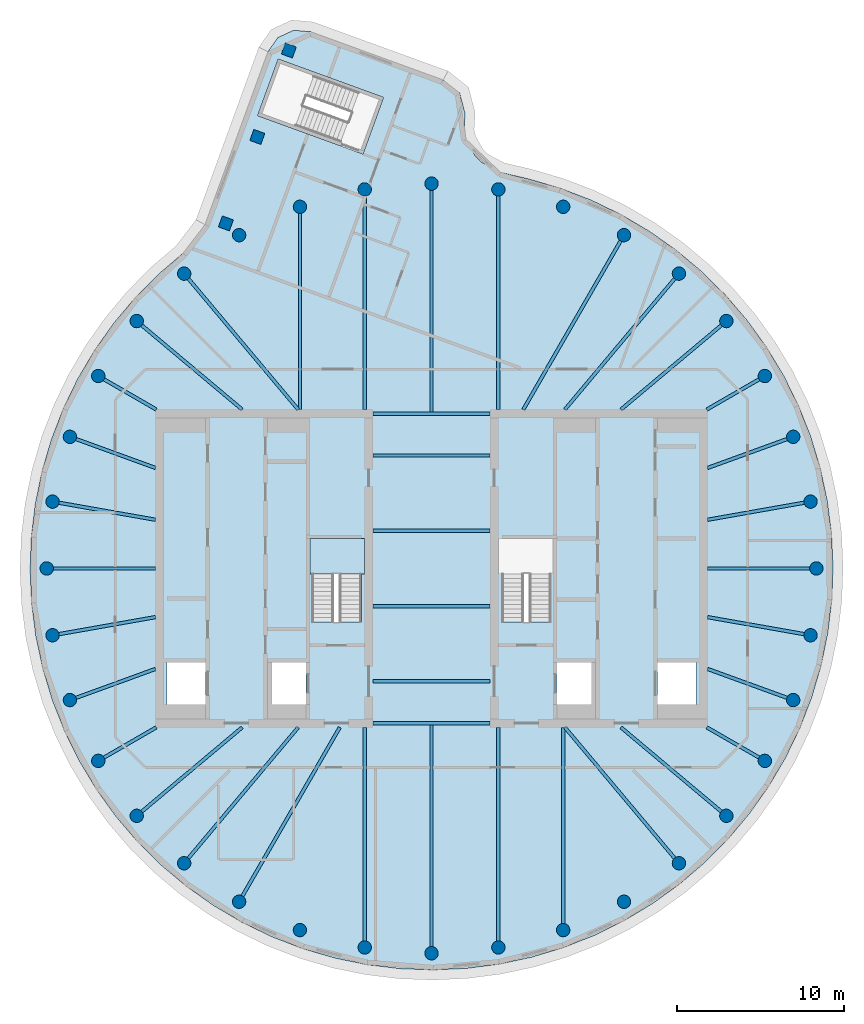
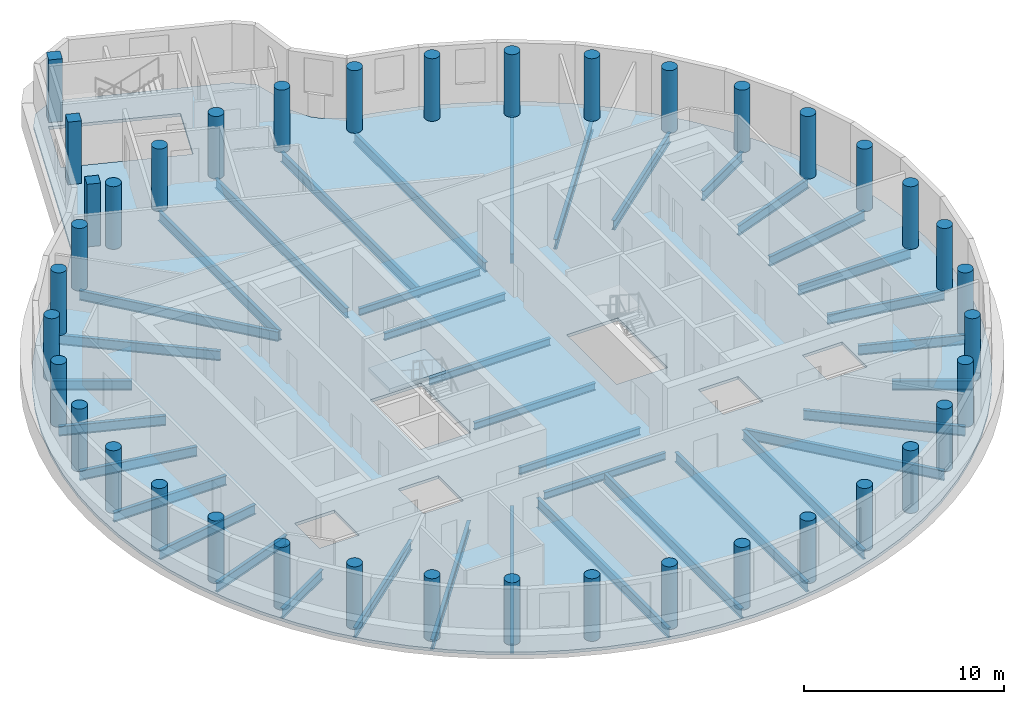
# One storey, part 1 of 7: 39 columns, 38 beams, 2 slabs, 1 element without a shape of its own.
"""IFC4 building model written with IfcOpenShell, lengths in metres."""

import ifcopenshell
import ifcopenshell.guid

model = None  # the IFC model being written
_history = None  # IfcOwnerHistory: only IFC2X3 demands one
_inside = {}  # id of a spatial element -> (the spatial element, [elements in it])
_under = {}  # id of a project, library or spatial element -> (it, [spatial elements below it])
_declared = {}  # id of a project -> (the project, [libraries it declares])
_typed = {}  # id of a type object -> (the type object, [elements of that type])
_made_of = {}  # id of a material, layer set ... -> (it, [elements and type objects made of it])


def new_model(schema):
    """Start an empty IFC model of exactly this schema.

    Asked for "IFC4X3", IfcOpenShell would pick the latest addendum, in which some entities
    have other attributes; the version numbers below select the first issue.
    IFC2X3 requires an IfcOwnerHistory on every rooted entity: one is made here for all.
    """
    global model, _history
    if schema == "IFC4X3":
        model = ifcopenshell.file(schema_version=(4, 3, 0, 0))
    else:
        model = ifcopenshell.file(schema=schema)
    _inside.clear()
    _under.clear()
    _declared.clear()
    _typed.clear()
    _made_of.clear()
    _history = None
    if model.schema == "IFC2X3":
        org = make("IfcOrganization", Name="unknown")
        user = make(
            "IfcPersonAndOrganization",
            ThePerson=make("IfcPerson", FamilyName="unknown"),
            TheOrganization=org,
        )
        app = make(
            "IfcApplication",
            ApplicationDeveloper=org,
            Version="unknown",
            ApplicationFullName="unknown",
            ApplicationIdentifier="unknown",
        )
        _history = make(
            "IfcOwnerHistory",
            OwningUser=user,
            OwningApplication=app,
            ChangeAction="ADDED",
            CreationDate=0,
        )
    return model


def make(cls, **values):
    """One entity of the class cls with the attributes given. An attribute that is None is left unset."""
    return model.create_entity(
        cls, **{name: value for name, value in values.items() if value is not None}
    )


def rooted(cls, **values):
    """An entity with a GlobalId (a new one), such as an element, a storey or a relation."""
    return make(cls, GlobalId=ifcopenshell.guid.new(), OwnerHistory=_history, **values)


def si_unit(unit_type, name, prefix=None):
    """IfcSIUnit, for example si_unit("LENGTHUNIT", "METRE", prefix="MILLI")."""
    return make("IfcSIUnit", UnitType=unit_type, Prefix=prefix, Name=name)


def assignment(units):
    """IfcUnitAssignment: the units of a project."""
    return None if units is None else make("IfcUnitAssignment", Units=units)


def point(xyz):
    """IfcCartesianPoint."""
    return None if xyz is None else make("IfcCartesianPoint", Coordinates=xyz)


def direction(xyz):
    """IfcDirection."""
    return None if xyz is None else make("IfcDirection", DirectionRatios=xyz)


def frame(location, z_axis=None, x_axis=None):
    """IfcAxis2Placement3D, a coordinate frame: its origin and axes. An axis left out is left unset."""
    return make(
        "IfcAxis2Placement3D",
        Location=point(location),
        Axis=direction(z_axis),
        RefDirection=direction(x_axis),
    )


def frame_2d(location, x_axis=None):
    """IfcAxis2Placement2D, a coordinate frame in the plane: its origin and x axis."""
    return make(
        "IfcAxis2Placement2D", Location=point(location), RefDirection=direction(x_axis)
    )


def origin():
    """The frame at (0, 0, 0) with its axes left unset."""
    return frame((0.0, 0.0, 0.0))


def origin_2d():
    """The frame at (0, 0) in the plane with its x axis left unset."""
    return frame_2d((0.0, 0.0))


def place(relative_to, where):
    """IfcLocalPlacement: puts the frame where relative to a parent placement (None: the world)."""
    return make(
        "IfcLocalPlacement", PlacementRelTo=relative_to, RelativePlacement=where
    )


def context(
    kind, dimensions, precision=None, world=None, true_north=None, identifier=None
):
    """IfcGeometricRepresentationContext, for example the 3D "Model" context."""
    return make(
        "IfcGeometricRepresentationContext",
        ContextIdentifier=identifier,
        ContextType=kind,
        CoordinateSpaceDimension=dimensions,
        Precision=precision,
        WorldCoordinateSystem=world,
        TrueNorth=true_north,
    )


def subcontext(parent, identifier, kind, view, scale=None):
    """IfcGeometricRepresentationSubContext, for example "Body" below "Model"."""
    return make(
        "IfcGeometricRepresentationSubContext",
        ContextIdentifier=identifier,
        ContextType=kind,
        ParentContext=parent,
        TargetScale=scale,
        TargetView=view,
    )


def project(units=None, contexts=None):
    """IfcProject with its units and contexts."""
    return rooted(
        "IfcProject",
        Name="project",
        RepresentationContexts=contexts,
        UnitsInContext=assignment(units),
    )


def spatial(cls, under=None, at=None, **own):
    """A site, building, storey or space (cls), placed at a placement, below another one or the project."""
    s = rooted(cls, ObjectPlacement=at, **own)
    if under is not None:
        _under.setdefault(under.id(), (under, []))[1].append(s)
    return s


def polyline(points):
    """IfcPolyline through the points."""
    return make("IfcPolyline", Points=[point(p) for p in points])


def profile(cls, at=None, kind="AREA", **sizes):
    """A parametric profile (cls). Its sizes go by their IFC names, for example OverallWidth=200.0."""
    return make(cls, ProfileType=kind, Position=at, **sizes)


def rectangle(**sizes):
    """IfcRectangleProfileDef."""
    return profile("IfcRectangleProfileDef", **sizes)


def circle(**sizes):
    """IfcCircleProfileDef."""
    return profile("IfcCircleProfileDef", **sizes)


def i_section(**sizes):
    """IfcIShapeProfileDef."""
    return profile("IfcIShapeProfileDef", **sizes)


def outline(outer, holes=None, kind="AREA"):
    """IfcArbitraryClosedProfileDef: a profile drawn as a closed curve; with holes, ...WithVoids."""
    if holes is None:
        return make("IfcArbitraryClosedProfileDef", ProfileType=kind, OuterCurve=outer)
    return make(
        "IfcArbitraryProfileDefWithVoids",
        ProfileType=kind,
        OuterCurve=outer,
        InnerCurves=holes,
    )


def extrude(swept, where, along, depth):
    """IfcExtrudedAreaSolid: the profile swept, set in the frame where, extruded along a direction by depth."""
    return make(
        "IfcExtrudedAreaSolid",
        SweptArea=swept,
        Position=where,
        ExtrudedDirection=direction(along),
        Depth=depth,
    )


def shape(context_of_items, identifier, shape_type, items):
    """IfcShapeRepresentation: the items that make up one representation, for example the "Body"."""
    return make(
        "IfcShapeRepresentation",
        ContextOfItems=context_of_items,
        RepresentationIdentifier=identifier,
        RepresentationType=shape_type,
        Items=items,
    )


def material(Name=None, Category=None):
    """IfcMaterial."""
    return make("IfcMaterial", Name=Name, Category=Category)


def layer(
    of_material, thickness, ventilated=None, Name=None, Category=None, Priority=None
):
    """IfcMaterialLayer: one layer of a wall or slab, of a material (None: an air gap)."""
    return make(
        "IfcMaterialLayer",
        Material=of_material,
        LayerThickness=thickness,
        IsVentilated=ventilated,
        Name=Name,
        Category=Category,
        Priority=Priority,
    )


def layer_set(layers, Name=None):
    """IfcMaterialLayerSet."""
    return make("IfcMaterialLayerSet", MaterialLayers=layers, LayerSetName=Name)


def material_profile(
    of_material, cross_section, Name=None, Category=None, Priority=None
):
    """IfcMaterialProfile: a cross section and its material."""
    return make(
        "IfcMaterialProfile",
        Name=Name,
        Material=of_material,
        Profile=cross_section,
        Priority=Priority,
        Category=Category,
    )


def profile_set(profiles, Name=None, composite=None):
    """IfcMaterialProfileSet."""
    return make(
        "IfcMaterialProfileSet",
        Name=Name,
        MaterialProfiles=profiles,
        CompositeProfile=composite,
    )


def made_of(thing, what):
    """Note that an element or type object is made of a material, layer set ...; save() writes the relation."""
    if what is not None:
        _made_of.setdefault(what.id(), (what, []))[1].append(thing)
    return thing


def type_object(cls, material=None, **own):
    """A type object (cls), such as IfcWallType, which elements share."""
    return made_of(rooted(cls, **own), material)


def element(
    cls,
    number,
    at=None,
    inside=None,
    cuts=None,
    type_object=None,
    material=None,
    context=None,
    identifier="Body",
    shape_type=None,
    held_by="IfcProductDefinitionShape",
    body=None,
    shapes=None,
    **own,
):
    """One element of the class cls, such as IfcWall. Its Tag is "e" and its number.

    at: its placement. inside: the storey or other place that contains it. cuts: it is an
    opening in that element (IfcRelVoidsElement). A single representation is given by context,
    identifier, shape_type and body (its items); several are given by shapes. held_by: the class
    of the entity that holds the representations. save() writes the other relations.
    """
    e = rooted(cls, Tag="e%d" % number, ObjectPlacement=at, **own)
    if body is not None:
        shapes = [shape(context, identifier, shape_type, body)]
    if shapes is not None:
        e.Representation = make(held_by, Representations=shapes)
    if inside is not None:
        _inside.setdefault(inside.id(), (inside, []))[1].append(e)
    if cuts is not None:
        rooted(
            "IfcRelVoidsElement", RelatingBuildingElement=cuts, RelatedOpeningElement=e
        )
    if type_object is not None:
        _typed.setdefault(type_object.id(), (type_object, []))[1].append(e)
    return made_of(e, material)


def aggregate(whole, parts):
    """IfcRelAggregates: a whole, such as a stair, and the parts it consists of."""
    return rooted("IfcRelAggregates", RelatingObject=whole, RelatedObjects=parts)


def save(model, path):
    """Write the relations noted so far, then the file.

    IfcRelAggregates (storeys below a building ...), IfcRelContainedInSpatialStructure (elements
    in a storey), IfcRelDefinesByType, IfcRelAssociatesMaterial and IfcRelDeclares: one each for
    every whole, place, type object, material and project.
    """
    for whole, parts in _under.values():
        aggregate(whole, parts)
    for where, things in _inside.values():
        rooted(
            "IfcRelContainedInSpatialStructure",
            RelatedElements=things,
            RelatingStructure=where,
        )
    for kind, things in _typed.values():
        rooted("IfcRelDefinesByType", RelatedObjects=things, RelatingType=kind)
    for what, things in _made_of.values():
        rooted("IfcRelAssociatesMaterial", RelatedObjects=things, RelatingMaterial=what)
    for by, libraries in _declared.values():
        rooted("IfcRelDeclares", RelatingContext=by, RelatedDefinitions=libraries)
    model.write(path)


model = new_model("IFC4")

# Units and contexts
model_context = context("Model", 3, precision=1e-05, world=origin(), true_north=direction((0.0, 1.0)))
body_context = subcontext(model_context, "Body", "Model", "MODEL_VIEW")
ifc_project = project(units=[si_unit("LENGTHUNIT", "METRE"), si_unit("AREAUNIT", "SQUARE_METRE"), si_unit("VOLUMEUNIT", "CUBIC_METRE"), si_unit("PLANEANGLEUNIT", "RADIAN"), si_unit("MASSUNIT", "GRAM", prefix="KILO")], contexts=[model_context])

# Site, building, storey
site_placement = place(None, origin())
site = spatial("IfcSite", under=ifc_project, at=site_placement, CompositionType="ELEMENT")
building_placement = place(site_placement, origin())
building = spatial("IfcBuilding", under=site, at=building_placement, Name="Tamarind Cross Interchange Tower", CompositionType="ELEMENT")
storey_placement = place(building_placement, frame((0.0, 0.0, 321.39990234375)))
storey = spatial("IfcBuildingStorey", under=building, at=storey_placement, Name="L79", CompositionType="ELEMENT", Elevation=321.39990234375)

# Columns
ifc_material_1 = material(Name="Concrete C45", Category="concrete")
ifc_material_profile_1 = material_profile(ifc_material_1, rectangle(XDim=0.699951171875, YDim=0.699951171875, at=origin_2d()), Name="RC 700x700")
ifc_profile_set_1 = profile_set([ifc_material_profile_1], Name="Concrete C45")
column_type_1 = type_object("IfcColumnType", Name="Column RC 700x700 Concrete C45", PredefinedType="COLUMN", material=ifc_profile_set_1)
for number, where, z_axis, x_axis, name in (
    (1, (-8.530029296875, 30.957275390625, -0.179931640625), (0.0, 0.0, 1.0), (0.341993902024, 0.939702171424, 0.0), "Column L79-047"),
    (2, (-10.4111328125, 25.7890625, -0.179931640625), (0.0, 0.0, 1.0), (0.341993902024, 0.939702171424, 0.0), "Column L79-048"),
    (3, (-12.2919921875, 20.62060546875, -0.179931640625), (0.0, 0.0, 1.0), (0.341993902024, 0.939702171424, 0.0), "Column L79-049"),
):
    element("IfcColumn", number, at=place(storey_placement, frame(where, z_axis=z_axis, x_axis=x_axis)), inside=storey, type_object=column_type_1, Name=name, PredefinedType="COLUMN", context=body_context, shape_type="SweptSolid", body=[
        extrude(rectangle(XDim=0.699951171875, YDim=0.699951171875, at=origin_2d()), origin(), (0.0, 0.0, 1.0), 4.0),
    ])
ifc_material_profile_2 = material_profile(ifc_material_1, circle(Radius=0.39990234375, at=origin_2d()), Name="RC D800")
ifc_profile_set_2 = profile_set([ifc_material_profile_2], Name="Concrete C45")
column_type_2 = type_object("IfcColumnType", Name="Column RC D800 Concrete C45", PredefinedType="COLUMN", material=ifc_profile_set_2)
for number, where, z_axis, x_axis, name in (
    (4, (23.0, 0.0, -0.179931640625), (0.0, 0.0, 1.0), (1.0, 0.0, 0.0), "Column L79-000"),
    (5, (22.650634765625, 3.993896484375, -0.179931640625), (0.0, 0.0, 1.0), (1.0, 0.0, 0.0), "Column L79-001"),
    (6, (21.613037109375, 7.866455078125, -0.179931640625), (0.0, 0.0, 1.0), (1.0, 0.0, 0.0), "Column L79-002"),
    (7, (19.918701171875, 11.5, -0.179931640625), (0.0, 0.0, 1.0), (1.0, 0.0, 0.0), "Column L79-003"),
    (8, (17.619140625, 14.7841796875, -0.179931640625), (0.0, 0.0, 1.0), (1.0, 0.0, 0.0), "Column L79-004"),
    (9, (14.7841796875, 17.619140625, -0.179931640625), (0.0, 0.0, 1.0), (1.0, 0.0, 0.0), "Column L79-005"),
    (10, (11.5, 19.918701171875, -0.179931640625), (0.0, 0.0, 1.0), (1.0, 0.0, 0.0), "Column L79-006"),
    (11, (7.866455078125, 21.613037109375, -0.179931640625), (0.0, 0.0, 1.0), (1.0, 0.0, 0.0), "Column L79-007"),
    (12, (3.993896484375, 22.650634765625, -0.179931640625), (0.0, 0.0, 1.0), (1.0, 0.0, 0.0), "Column L79-008"),
    (13, (0.0, 23.0, -0.179931640625), (0.0, 0.0, 1.0), (1.0, 0.0, 0.0), "Column L79-009"),
    (14, (-3.993896484375, 22.650634765625, -0.179931640625), (0.0, 0.0, 1.0), (1.0, 0.0, 0.0), "Column L79-010"),
    (15, (-7.866455078125, 21.613037109375, -0.179931640625), (0.0, 0.0, 1.0), (1.0, 0.0, 0.0), "Column L79-011"),
    (16, (-11.5, 19.918701171875, -0.179931640625), (0.0, 0.0, 1.0), (1.0, 0.0, 0.0), "Column L79-012"),
    (17, (-14.7841796875, 17.619140625, -0.179931640625), (0.0, 0.0, 1.0), (1.0, 0.0, 0.0), "Column L79-013"),
    (18, (-17.619140625, 14.7841796875, -0.179931640625), (0.0, 0.0, 1.0), (1.0, 0.0, 0.0), "Column L79-014"),
    (19, (-19.918701171875, 11.5, -0.179931640625), (0.0, 0.0, 1.0), (1.0, 0.0, 0.0), "Column L79-015"),
    (20, (-21.613037109375, 7.866455078125, -0.179931640625), (0.0, 0.0, 1.0), (1.0, 0.0, 0.0), "Column L79-016"),
    (21, (-22.650634765625, 3.993896484375, -0.179931640625), (0.0, 0.0, 1.0), (1.0, 0.0, 0.0), "Column L79-017"),
    (22, (-23.0, 0.0, -0.179931640625), (0.0, 0.0, 1.0), (1.0, 0.0, 0.0), "Column L79-018"),
    (23, (-22.650634765625, -3.993896484375, -0.179931640625), (0.0, 0.0, 1.0), (1.0, 0.0, 0.0), "Column L79-019"),
    (24, (-21.613037109375, -7.866455078125, -0.179931640625), (0.0, 0.0, 1.0), (1.0, 0.0, 0.0), "Column L79-020"),
    (25, (-19.918701171875, -11.5, -0.179931640625), (0.0, 0.0, 1.0), (1.0, 0.0, 0.0), "Column L79-021"),
    (26, (-17.619140625, -14.7841796875, -0.179931640625), (0.0, 0.0, 1.0), (1.0, 0.0, 0.0), "Column L79-022"),
    (27, (-14.7841796875, -17.619140625, -0.179931640625), (0.0, 0.0, 1.0), (1.0, 0.0, 0.0), "Column L79-023"),
    (28, (-11.5, -19.918701171875, -0.179931640625), (0.0, 0.0, 1.0), (1.0, 0.0, 0.0), "Column L79-024"),
    (29, (-7.866455078125, -21.613037109375, -0.179931640625), (0.0, 0.0, 1.0), (1.0, 0.0, 0.0), "Column L79-025"),
    (30, (-3.993896484375, -22.650634765625, -0.179931640625), (0.0, 0.0, 1.0), (1.0, 0.0, 0.0), "Column L79-026"),
    (31, (0.0, -23.0, -0.179931640625), (0.0, 0.0, 1.0), (1.0, 0.0, 0.0), "Column L79-027"),
    (32, (3.993896484375, -22.650634765625, -0.179931640625), (0.0, 0.0, 1.0), (1.0, 0.0, 0.0), "Column L79-028"),
    (33, (7.866455078125, -21.613037109375, -0.179931640625), (0.0, 0.0, 1.0), (1.0, 0.0, 0.0), "Column L79-029"),
    (34, (11.5, -19.918701171875, -0.179931640625), (0.0, 0.0, 1.0), (1.0, 0.0, 0.0), "Column L79-030"),
    (35, (14.7841796875, -17.619140625, -0.179931640625), (0.0, 0.0, 1.0), (1.0, 0.0, 0.0), "Column L79-031"),
    (36, (17.619140625, -14.7841796875, -0.179931640625), (0.0, 0.0, 1.0), (1.0, 0.0, 0.0), "Column L79-032"),
    (37, (19.918701171875, -11.5, -0.179931640625), (0.0, 0.0, 1.0), (1.0, 0.0, 0.0), "Column L79-033"),
    (38, (21.613037109375, -7.866455078125, -0.179931640625), (0.0, 0.0, 1.0), (1.0, 0.0, 0.0), "Column L79-034"),
    (39, (22.650634765625, -3.993896484375, -0.179931640625), (0.0, 0.0, 1.0), (1.0, 0.0, 0.0), "Column L79-035"),
):
    element("IfcColumn", number, at=place(storey_placement, frame(where, z_axis=z_axis, x_axis=x_axis)), inside=storey, type_object=column_type_2, Name=name, PredefinedType="COLUMN", context=body_context, shape_type="SweptSolid", body=[
        extrude(circle(Radius=0.39990234375, at=origin_2d()), origin(), (0.0, 0.0, 1.0), 4.0),
    ])

# Beams
ifc_material_2 = material(Name="Steel Q355B", Category="steel")
ifc_material_profile_3 = material_profile(ifc_material_2, i_section(OverallWidth=0.198974609375, OverallDepth=0.446044921875, WebThickness=0.008056640625, FlangeThickness=0.011962890625, FilletRadius=0.012939453125, at=origin_2d()), Name="HN 446x199x8x12")
ifc_profile_set_3 = profile_set([ifc_material_profile_3], Name="Steel Q355B")
beam_type_1 = type_object("IfcBeamType", Name="Composite beam HN 446x199x8x12 Q355B", PredefinedType="BEAM", material=ifc_profile_set_3)
for number, where, z_axis, x_axis, name in (
    (40, (-3.5, -2.25, -0.40283203125), (1.0, 0.0, 0.0), (0.0, 1.0, 0.0), "Beam G-2.25"),
    (41, (-3.5, -6.75, -0.40283203125), (1.0, 0.0, 0.0), (0.0, 1.0, 0.0), "Beam G-6.75"),
    (42, (-3.5, -9.25, -0.40283203125), (1.0, 0.0, 0.0), (0.0, 1.0, 0.0), "Beam G-9.25"),
    (43, (-3.5, 2.25, -0.40283203125), (1.0, 0.0, 0.0), (0.0, 1.0, 0.0), "Beam G2.25"),
    (44, (-3.5, 6.75, -0.40283203125), (1.0, 0.0, 0.0), (0.0, 1.0, 0.0), "Beam G6.75"),
    (45, (-3.5, 9.25, -0.40283203125), (1.0, 0.0, 0.0), (0.0, 1.0, 0.0), "Beam G9.25"),
):
    element("IfcBeam", number, at=place(storey_placement, frame(where, z_axis=z_axis, x_axis=x_axis)), inside=storey, type_object=beam_type_1, Name=name, PredefinedType="BEAM", context=body_context, shape_type="SweptSolid", body=[
        extrude(i_section(OverallWidth=0.198974609375, OverallDepth=0.446044921875, WebThickness=0.008056640625, FlangeThickness=0.011962890625, FilletRadius=0.012939453125, at=origin_2d()), origin(), (0.0, 0.0, 1.0), 7.0),
    ])
ifc_material_profile_4 = material_profile(ifc_material_2, i_section(OverallWidth=0.198974609375, OverallDepth=0.595947265625, WebThickness=0.010009765625, FlangeThickness=0.014892578125, FilletRadius=0.012939453125, at=origin_2d()), Name="HN 596x199x10x15")
ifc_profile_set_4 = profile_set([ifc_material_profile_4], Name="Steel Q355B")
beam_type_2 = type_object("IfcBeamType", Name="Composite beam HN 596x199x10x15 Q355B", PredefinedType="BEAM", material=ifc_profile_set_4)
beam_1_placement = place(storey_placement, frame((23.0, 0.0, -0.477783203125), z_axis=(-1.0, 0.0, 0.0), x_axis=(0.0, -1.0, 0.0)))
element("IfcBeam", 46, at=beam_1_placement, inside=storey, type_object=beam_type_2, Name="Beam HH00", PredefinedType="BEAM", context=body_context, shape_type="SweptSolid", body=[
    extrude(i_section(OverallWidth=0.198974609375, OverallDepth=0.595947265625, WebThickness=0.010009765625, FlangeThickness=0.014892578125, FilletRadius=0.012939453125, at=origin_2d()), origin(), (0.0, 0.0, 1.0), 6.5),
])
beam_2_placement = place(storey_placement, frame((22.650634765625, 3.993896484375, -0.477783203125), z_axis=(-0.984809127561, -0.173640382036, 0.0), x_axis=(0.173640382036, -0.984809127561, 0.0)))
element("IfcBeam", 47, at=beam_2_placement, inside=storey, type_object=beam_type_2, Name="Beam HH01", PredefinedType="BEAM", context=body_context, shape_type="SweptSolid", body=[
    extrude(i_section(OverallWidth=0.198974609375, OverallDepth=0.595947265625, WebThickness=0.010009765625, FlangeThickness=0.014892578125, FilletRadius=0.012939453125, at=origin_2d()), origin(), (0.0, 0.0, 1.0), 6.24560546875),
])
beam_3_placement = place(storey_placement, frame((21.613037109375, 7.866455078125, -0.477783203125), z_axis=(-0.939701685589, -0.341995236956, 0.0), x_axis=(0.341995236956, -0.939701685589, 0.0)))
element("IfcBeam", 48, at=beam_3_placement, inside=storey, type_object=beam_type_2, Name="Beam HH02", PredefinedType="BEAM", context=body_context, shape_type="SweptSolid", body=[
    extrude(i_section(OverallWidth=0.198974609375, OverallDepth=0.595947265625, WebThickness=0.010009765625, FlangeThickness=0.014892578125, FilletRadius=0.012939453125, at=origin_2d()), origin(), (0.0, 0.0, 1.0), 5.441162109375),
])
beam_4_placement = place(storey_placement, frame((19.918701171875, 11.5, -0.477783203125), z_axis=(-0.866026010844, -0.49999894854, 0.0), x_axis=(0.49999894854, -0.866026010844, 0.0)))
element("IfcBeam", 49, at=beam_4_placement, inside=storey, type_object=beam_type_2, Name="Beam HH03", PredefinedType="BEAM", context=body_context, shape_type="SweptSolid", body=[
    extrude(i_section(OverallWidth=0.198974609375, OverallDepth=0.595947265625, WebThickness=0.010009765625, FlangeThickness=0.014892578125, FilletRadius=0.012939453125, at=origin_2d()), origin(), (0.0, 0.0, 1.0), 4.0),
])
beam_5_placement = place(storey_placement, frame((17.619140625, 14.7841796875, -0.477783203125), z_axis=(-0.766040580814, -0.642792212574, 0.0), x_axis=(0.642792212574, -0.766040580814, 0.0)))
element("IfcBeam", 50, at=beam_5_placement, inside=storey, type_object=beam_type_2, Name="Beam HH04", PredefinedType="BEAM", context=body_context, shape_type="SweptSolid", body=[
    extrude(i_section(OverallWidth=0.198974609375, OverallDepth=0.595947265625, WebThickness=0.010009765625, FlangeThickness=0.014892578125, FilletRadius=0.012939453125, at=origin_2d()), origin(), (0.0, 0.0, 1.0), 8.220703125),
])
beam_6_placement = place(storey_placement, frame((14.7841796875, 17.619140625, -0.477783203125), z_axis=(-0.642786293979, -0.766045547127, 0.0), x_axis=(0.766045547127, -0.642786293979, 0.0)))
element("IfcBeam", 51, at=beam_6_placement, inside=storey, type_object=beam_type_2, Name="Beam HH05", PredefinedType="BEAM", context=body_context, shape_type="SweptSolid", body=[
    extrude(i_section(OverallWidth=0.198974609375, OverallDepth=0.595947265625, WebThickness=0.010009765625, FlangeThickness=0.014892578125, FilletRadius=0.012939453125, at=origin_2d()), origin(), (0.0, 0.0, 1.0), 10.598876953125),
])
beam_7_placement = place(storey_placement, frame((11.5, 19.918701171875, -0.477783203125), z_axis=(-0.499993565836, -0.866029118519, 0.0), x_axis=(0.866029118519, -0.499993565836, 0.0)))
element("IfcBeam", 52, at=beam_7_placement, inside=storey, type_object=beam_type_2, Name="Beam HH06", PredefinedType="BEAM", context=body_context, shape_type="SweptSolid", body=[
    extrude(i_section(OverallWidth=0.198974609375, OverallDepth=0.595947265625, WebThickness=0.010009765625, FlangeThickness=0.014892578125, FilletRadius=0.012939453125, at=origin_2d()), origin(), (0.0, 0.0, 1.0), 12.030517578125),
])
beam_8_placement = place(storey_placement, frame((3.993896484375, 22.650634765625, -0.477783203125), z_axis=(0.0, -1.0, 0.0), x_axis=(1.0, 0.0, 0.0)))
element("IfcBeam", 53, at=beam_8_placement, inside=storey, type_object=beam_type_2, Name="Beam HH08", PredefinedType="BEAM", context=body_context, shape_type="SweptSolid", body=[
    extrude(i_section(OverallWidth=0.198974609375, OverallDepth=0.595947265625, WebThickness=0.010009765625, FlangeThickness=0.014892578125, FilletRadius=0.012939453125, at=origin_2d()), origin(), (0.0, 0.0, 1.0), 13.150634765625),
])
beam_9_placement = place(storey_placement, frame((0.0, 23.0, -0.477783203125), z_axis=(0.0, -1.0, 0.0), x_axis=(1.0, 0.0, 0.0)))
element("IfcBeam", 54, at=beam_9_placement, inside=storey, type_object=beam_type_2, Name="Beam HH09", PredefinedType="BEAM", context=body_context, shape_type="SweptSolid", body=[
    extrude(i_section(OverallWidth=0.198974609375, OverallDepth=0.595947265625, WebThickness=0.010009765625, FlangeThickness=0.014892578125, FilletRadius=0.012939453125, at=origin_2d()), origin(), (0.0, 0.0, 1.0), 13.75),
])
beam_10_placement = place(storey_placement, frame((-3.993896484375, 22.650634765625, -0.477783203125), z_axis=(0.0, -1.0, 0.0), x_axis=(1.0, 0.0, 0.0)))
element("IfcBeam", 55, at=beam_10_placement, inside=storey, type_object=beam_type_2, Name="Beam HH10", PredefinedType="BEAM", context=body_context, shape_type="SweptSolid", body=[
    extrude(i_section(OverallWidth=0.198974609375, OverallDepth=0.595947265625, WebThickness=0.010009765625, FlangeThickness=0.014892578125, FilletRadius=0.012939453125, at=origin_2d()), origin(), (0.0, 0.0, 1.0), 13.150634765625),
])
beam_11_placement = place(storey_placement, frame((-7.866455078125, 21.613037109375, -0.477783203125), z_axis=(0.0, -1.0, 0.0), x_axis=(1.0, 0.0, 0.0)))
element("IfcBeam", 56, at=beam_11_placement, inside=storey, type_object=beam_type_2, Name="Beam HH11", PredefinedType="BEAM", context=body_context, shape_type="SweptSolid", body=[
    extrude(i_section(OverallWidth=0.198974609375, OverallDepth=0.595947265625, WebThickness=0.010009765625, FlangeThickness=0.014892578125, FilletRadius=0.012939453125, at=origin_2d()), origin(), (0.0, 0.0, 1.0), 12.113037109375),
])
beam_12_placement = place(storey_placement, frame((-14.7841796875, 17.619140625, -0.477783203125), z_axis=(0.642786293979, -0.766045547127, 0.0), x_axis=(0.766045547127, 0.642786293979, 0.0)))
element("IfcBeam", 57, at=beam_12_placement, inside=storey, type_object=beam_type_2, Name="Beam HH13", PredefinedType="BEAM", context=body_context, shape_type="SweptSolid", body=[
    extrude(i_section(OverallWidth=0.198974609375, OverallDepth=0.595947265625, WebThickness=0.010009765625, FlangeThickness=0.014892578125, FilletRadius=0.012939453125, at=origin_2d()), origin(), (0.0, 0.0, 1.0), 10.598876953125),
])
beam_13_placement = place(storey_placement, frame((-17.619140625, 14.7841796875, -0.477783203125), z_axis=(0.766040580814, -0.642792212574, 0.0), x_axis=(0.642792212574, 0.766040580814, 0.0)))
element("IfcBeam", 58, at=beam_13_placement, inside=storey, type_object=beam_type_2, Name="Beam HH14", PredefinedType="BEAM", context=body_context, shape_type="SweptSolid", body=[
    extrude(i_section(OverallWidth=0.198974609375, OverallDepth=0.595947265625, WebThickness=0.010009765625, FlangeThickness=0.014892578125, FilletRadius=0.012939453125, at=origin_2d()), origin(), (0.0, 0.0, 1.0), 8.220703125),
])
beam_14_placement = place(storey_placement, frame((-19.918701171875, 11.5, -0.477783203125), z_axis=(0.866026010844, -0.49999894854, 0.0), x_axis=(0.49999894854, 0.866026010844, 0.0)))
element("IfcBeam", 59, at=beam_14_placement, inside=storey, type_object=beam_type_2, Name="Beam HH15", PredefinedType="BEAM", context=body_context, shape_type="SweptSolid", body=[
    extrude(i_section(OverallWidth=0.198974609375, OverallDepth=0.595947265625, WebThickness=0.010009765625, FlangeThickness=0.014892578125, FilletRadius=0.012939453125, at=origin_2d()), origin(), (0.0, 0.0, 1.0), 4.0),
])
beam_15_placement = place(storey_placement, frame((-21.613037109375, 7.866455078125, -0.477783203125), z_axis=(0.939701685589, -0.341995236956, 0.0), x_axis=(0.341995236956, 0.939701685589, 0.0)))
element("IfcBeam", 60, at=beam_15_placement, inside=storey, type_object=beam_type_2, Name="Beam HH16", PredefinedType="BEAM", context=body_context, shape_type="SweptSolid", body=[
    extrude(i_section(OverallWidth=0.198974609375, OverallDepth=0.595947265625, WebThickness=0.010009765625, FlangeThickness=0.014892578125, FilletRadius=0.012939453125, at=origin_2d()), origin(), (0.0, 0.0, 1.0), 5.441162109375),
])
beam_16_placement = place(storey_placement, frame((-22.650634765625, 3.993896484375, -0.477783203125), z_axis=(0.984809127561, -0.173640382036, 0.0), x_axis=(0.173640382036, 0.984809127561, 0.0)))
element("IfcBeam", 61, at=beam_16_placement, inside=storey, type_object=beam_type_2, Name="Beam HH17", PredefinedType="BEAM", context=body_context, shape_type="SweptSolid", body=[
    extrude(i_section(OverallWidth=0.198974609375, OverallDepth=0.595947265625, WebThickness=0.010009765625, FlangeThickness=0.014892578125, FilletRadius=0.012939453125, at=origin_2d()), origin(), (0.0, 0.0, 1.0), 6.24560546875),
])
beam_17_placement = place(storey_placement, frame((-23.0, 0.0, -0.477783203125), z_axis=(1.0, 0.0, 0.0), x_axis=(0.0, 1.0, 0.0)))
element("IfcBeam", 62, at=beam_17_placement, inside=storey, type_object=beam_type_2, Name="Beam HH18", PredefinedType="BEAM", context=body_context, shape_type="SweptSolid", body=[
    extrude(i_section(OverallWidth=0.198974609375, OverallDepth=0.595947265625, WebThickness=0.010009765625, FlangeThickness=0.014892578125, FilletRadius=0.012939453125, at=origin_2d()), origin(), (0.0, 0.0, 1.0), 6.5),
])
beam_18_placement = place(storey_placement, frame((-22.650634765625, -3.993896484375, -0.477783203125), z_axis=(0.984809127561, 0.173640382036, 0.0), x_axis=(-0.173640382036, 0.984809127561, 0.0)))
element("IfcBeam", 63, at=beam_18_placement, inside=storey, type_object=beam_type_2, Name="Beam HH19", PredefinedType="BEAM", context=body_context, shape_type="SweptSolid", body=[
    extrude(i_section(OverallWidth=0.198974609375, OverallDepth=0.595947265625, WebThickness=0.010009765625, FlangeThickness=0.014892578125, FilletRadius=0.012939453125, at=origin_2d()), origin(), (0.0, 0.0, 1.0), 6.24560546875),
])
beam_19_placement = place(storey_placement, frame((-21.613037109375, -7.866455078125, -0.477783203125), z_axis=(0.939701685589, 0.341995236956, 0.0), x_axis=(-0.341995236956, 0.939701685589, 0.0)))
element("IfcBeam", 64, at=beam_19_placement, inside=storey, type_object=beam_type_2, Name="Beam HH20", PredefinedType="BEAM", context=body_context, shape_type="SweptSolid", body=[
    extrude(i_section(OverallWidth=0.198974609375, OverallDepth=0.595947265625, WebThickness=0.010009765625, FlangeThickness=0.014892578125, FilletRadius=0.012939453125, at=origin_2d()), origin(), (0.0, 0.0, 1.0), 5.441162109375),
])
beam_20_placement = place(storey_placement, frame((-19.918701171875, -11.5, -0.477783203125), z_axis=(0.866026010844, 0.49999894854, 0.0), x_axis=(-0.49999894854, 0.866026010844, 0.0)))
element("IfcBeam", 65, at=beam_20_placement, inside=storey, type_object=beam_type_2, Name="Beam HH21", PredefinedType="BEAM", context=body_context, shape_type="SweptSolid", body=[
    extrude(i_section(OverallWidth=0.198974609375, OverallDepth=0.595947265625, WebThickness=0.010009765625, FlangeThickness=0.014892578125, FilletRadius=0.012939453125, at=origin_2d()), origin(), (0.0, 0.0, 1.0), 4.0),
])
beam_21_placement = place(storey_placement, frame((-17.619140625, -14.7841796875, -0.477783203125), z_axis=(0.766040580814, 0.642792212574, 0.0), x_axis=(-0.642792212574, 0.766040580814, 0.0)))
element("IfcBeam", 66, at=beam_21_placement, inside=storey, type_object=beam_type_2, Name="Beam HH22", PredefinedType="BEAM", context=body_context, shape_type="SweptSolid", body=[
    extrude(i_section(OverallWidth=0.198974609375, OverallDepth=0.595947265625, WebThickness=0.010009765625, FlangeThickness=0.014892578125, FilletRadius=0.012939453125, at=origin_2d()), origin(), (0.0, 0.0, 1.0), 8.220703125),
])
beam_22_placement = place(storey_placement, frame((-14.7841796875, -17.619140625, -0.477783203125), z_axis=(0.642786293979, 0.766045547127, 0.0), x_axis=(-0.766045547127, 0.642786293979, 0.0)))
element("IfcBeam", 67, at=beam_22_placement, inside=storey, type_object=beam_type_2, Name="Beam HH23", PredefinedType="BEAM", context=body_context, shape_type="SweptSolid", body=[
    extrude(i_section(OverallWidth=0.198974609375, OverallDepth=0.595947265625, WebThickness=0.010009765625, FlangeThickness=0.014892578125, FilletRadius=0.012939453125, at=origin_2d()), origin(), (0.0, 0.0, 1.0), 10.598876953125),
])
beam_23_placement = place(storey_placement, frame((-11.5, -19.918701171875, -0.477783203125), z_axis=(0.499993565836, 0.866029118519, 0.0), x_axis=(-0.866029118519, 0.499993565836, 0.0)))
element("IfcBeam", 68, at=beam_23_placement, inside=storey, type_object=beam_type_2, Name="Beam HH24", PredefinedType="BEAM", context=body_context, shape_type="SweptSolid", body=[
    extrude(i_section(OverallWidth=0.198974609375, OverallDepth=0.595947265625, WebThickness=0.010009765625, FlangeThickness=0.014892578125, FilletRadius=0.012939453125, at=origin_2d()), origin(), (0.0, 0.0, 1.0), 12.030517578125),
])
beam_24_placement = place(storey_placement, frame((-3.993896484375, -22.650634765625, -0.477783203125), z_axis=(0.0, 1.0, 0.0), x_axis=(-1.0, 0.0, 0.0)))
element("IfcBeam", 69, at=beam_24_placement, inside=storey, type_object=beam_type_2, Name="Beam HH26", PredefinedType="BEAM", context=body_context, shape_type="SweptSolid", body=[
    extrude(i_section(OverallWidth=0.198974609375, OverallDepth=0.595947265625, WebThickness=0.010009765625, FlangeThickness=0.014892578125, FilletRadius=0.012939453125, at=origin_2d()), origin(), (0.0, 0.0, 1.0), 13.150634765625),
])
beam_25_placement = place(storey_placement, frame((0.0, -23.0, -0.477783203125), z_axis=(0.0, 1.0, 0.0), x_axis=(-1.0, 0.0, 0.0)))
element("IfcBeam", 70, at=beam_25_placement, inside=storey, type_object=beam_type_2, Name="Beam HH27", PredefinedType="BEAM", context=body_context, shape_type="SweptSolid", body=[
    extrude(i_section(OverallWidth=0.198974609375, OverallDepth=0.595947265625, WebThickness=0.010009765625, FlangeThickness=0.014892578125, FilletRadius=0.012939453125, at=origin_2d()), origin(), (0.0, 0.0, 1.0), 13.75),
])
beam_26_placement = place(storey_placement, frame((3.993896484375, -22.650634765625, -0.477783203125), z_axis=(0.0, 1.0, 0.0), x_axis=(-1.0, 0.0, 0.0)))
element("IfcBeam", 71, at=beam_26_placement, inside=storey, type_object=beam_type_2, Name="Beam HH28", PredefinedType="BEAM", context=body_context, shape_type="SweptSolid", body=[
    extrude(i_section(OverallWidth=0.198974609375, OverallDepth=0.595947265625, WebThickness=0.010009765625, FlangeThickness=0.014892578125, FilletRadius=0.012939453125, at=origin_2d()), origin(), (0.0, 0.0, 1.0), 13.150634765625),
])
beam_27_placement = place(storey_placement, frame((7.866455078125, -21.613037109375, -0.477783203125), z_axis=(0.0, 1.0, 0.0), x_axis=(-1.0, 0.0, 0.0)))
element("IfcBeam", 72, at=beam_27_placement, inside=storey, type_object=beam_type_2, Name="Beam HH29", PredefinedType="BEAM", context=body_context, shape_type="SweptSolid", body=[
    extrude(i_section(OverallWidth=0.198974609375, OverallDepth=0.595947265625, WebThickness=0.010009765625, FlangeThickness=0.014892578125, FilletRadius=0.012939453125, at=origin_2d()), origin(), (0.0, 0.0, 1.0), 12.113037109375),
])
beam_28_placement = place(storey_placement, frame((14.7841796875, -17.619140625, -0.477783203125), z_axis=(-0.642786293979, 0.766045547127, 0.0), x_axis=(-0.766045547127, -0.642786293979, 0.0)))
element("IfcBeam", 73, at=beam_28_placement, inside=storey, type_object=beam_type_2, Name="Beam HH31", PredefinedType="BEAM", context=body_context, shape_type="SweptSolid", body=[
    extrude(i_section(OverallWidth=0.198974609375, OverallDepth=0.595947265625, WebThickness=0.010009765625, FlangeThickness=0.014892578125, FilletRadius=0.012939453125, at=origin_2d()), origin(), (0.0, 0.0, 1.0), 10.598876953125),
])
beam_29_placement = place(storey_placement, frame((17.619140625, -14.7841796875, -0.477783203125), z_axis=(-0.766040580814, 0.642792212574, 0.0), x_axis=(-0.642792212574, -0.766040580814, 0.0)))
element("IfcBeam", 74, at=beam_29_placement, inside=storey, type_object=beam_type_2, Name="Beam HH32", PredefinedType="BEAM", context=body_context, shape_type="SweptSolid", body=[
    extrude(i_section(OverallWidth=0.198974609375, OverallDepth=0.595947265625, WebThickness=0.010009765625, FlangeThickness=0.014892578125, FilletRadius=0.012939453125, at=origin_2d()), origin(), (0.0, 0.0, 1.0), 8.220703125),
])
beam_30_placement = place(storey_placement, frame((19.918701171875, -11.5, -0.477783203125), z_axis=(-0.866026010844, 0.49999894854, 0.0), x_axis=(-0.49999894854, -0.866026010844, 0.0)))
element("IfcBeam", 75, at=beam_30_placement, inside=storey, type_object=beam_type_2, Name="Beam HH33", PredefinedType="BEAM", context=body_context, shape_type="SweptSolid", body=[
    extrude(i_section(OverallWidth=0.198974609375, OverallDepth=0.595947265625, WebThickness=0.010009765625, FlangeThickness=0.014892578125, FilletRadius=0.012939453125, at=origin_2d()), origin(), (0.0, 0.0, 1.0), 4.0),
])
beam_31_placement = place(storey_placement, frame((21.613037109375, -7.866455078125, -0.477783203125), z_axis=(-0.939701685589, 0.341995236956, 0.0), x_axis=(-0.341995236956, -0.939701685589, 0.0)))
element("IfcBeam", 76, at=beam_31_placement, inside=storey, type_object=beam_type_2, Name="Beam HH34", PredefinedType="BEAM", context=body_context, shape_type="SweptSolid", body=[
    extrude(i_section(OverallWidth=0.198974609375, OverallDepth=0.595947265625, WebThickness=0.010009765625, FlangeThickness=0.014892578125, FilletRadius=0.012939453125, at=origin_2d()), origin(), (0.0, 0.0, 1.0), 5.441162109375),
])
beam_32_placement = place(storey_placement, frame((22.650634765625, -3.993896484375, -0.477783203125), z_axis=(-0.984809127561, 0.173640382036, 0.0), x_axis=(-0.173640382036, -0.984809127561, 0.0)))
element("IfcBeam", 77, at=beam_32_placement, inside=storey, type_object=beam_type_2, Name="Beam HH35", PredefinedType="BEAM", context=body_context, shape_type="SweptSolid", body=[
    extrude(i_section(OverallWidth=0.198974609375, OverallDepth=0.595947265625, WebThickness=0.010009765625, FlangeThickness=0.014892578125, FilletRadius=0.012939453125, at=origin_2d()), origin(), (0.0, 0.0, 1.0), 6.24560546875),
])

# Slab
ifc_material_3 = material(Name="Concrete C40", Category="concrete")
ifc_layer_1 = layer(ifc_material_3, 0.179931640625)
ifc_layer_set_1 = layer_set([ifc_layer_1], Name="Concrete C40")
slab_type_1 = type_object("IfcSlabType", Name="Composite slab 180 Concrete C40", PredefinedType="FLOOR", material=ifc_layer_set_1)
slab_1_placement = place(storey_placement, frame((0.0, 0.0, -0.179931640625)))
element("IfcSlab", 78, at=slab_1_placement, inside=storey, type_object=slab_type_1, Name="Floor slab L79", PredefinedType="FLOOR", context=body_context, shape_type="SweptSolid", body=[
    extrude(outline(polyline([(-9.18798828125, 31.72900390625), (-9.78173828125, 30.880859375), (-13.54248046875, 20.54736328125), (-14.847900390625, 18.848876953125), (-16.327880859375, 17.584228515625), (-17.72412109375, 16.17578125), (-18.99951171875, 14.656982421875), (-20.14501953125, 13.0380859375), (-21.15283203125, 11.329833984375), (-22.01611328125, 9.54443359375), (-22.72900390625, 7.693603515625), (-23.286865234375, 5.79052734375), (-23.685546875, 3.84765625), (-23.92236328125, 1.878662109375), (-23.99560546875, -0.103271484375), (-23.9052734375, -2.08447265625), (-23.651611328125, -4.051513671875), (-23.236083984375, -5.99072265625), (-22.662109375, -7.88916015625), (-21.93310546875, -9.7333984375), (-21.054443359375, -11.511474609375), (-20.031982421875, -13.2109375), (-18.87255859375, -14.820068359375), (-17.584228515625, -16.327880859375), (-16.17578125, -17.72412109375), (-14.656982421875, -18.99951171875), (-13.0380859375, -20.14501953125), (-11.329833984375, -21.15283203125), (-9.54443359375, -22.01611328125), (-7.693603515625, -22.72900390625), (-5.79052734375, -23.286865234375), (-3.84765625, -23.685546875), (-1.878662109375, -23.92236328125), (0.103271484375, -23.99560546875), (2.08447265625, -23.9052734375), (4.051513671875, -23.651611328125), (5.99072265625, -23.236083984375), (7.88916015625, -22.662109375), (9.7333984375, -21.93310546875), (11.511474609375, -21.054443359375), (13.2109375, -20.031982421875), (14.820068359375, -18.87255859375), (16.327880859375, -17.584228515625), (17.72412109375, -16.17578125), (18.99951171875, -14.656982421875), (20.14501953125, -13.0380859375), (21.15283203125, -11.329833984375), (22.01611328125, -9.54443359375), (22.72900390625, -7.693603515625), (23.286865234375, -5.79052734375), (23.685546875, -3.84765625), (23.92236328125, -1.878662109375), (23.99560546875, 0.103271484375), (23.9052734375, 2.08447265625), (23.651611328125, 4.051513671875), (23.236083984375, 5.99072265625), (22.662109375, 7.88916015625), (21.93310546875, 9.7333984375), (21.054443359375, 11.511474609375), (20.031982421875, 13.2109375), (18.87255859375, 14.820068359375), (17.584228515625, 16.327880859375), (16.17578125, 17.72412109375), (14.656982421875, 18.99951171875), (13.0380859375, 20.14501953125), (11.329833984375, 21.15283203125), (9.54443359375, 22.01611328125), (7.693603515625, 22.72900390625), (5.79052734375, 23.286865234375), (4.106689453125, 23.680908203125), (2.99658203125, 24.276123046875), (2.603515625, 24.663330078125), (2.0615234375, 25.6376953125), (1.940185546875, 26.17578125), (2.004638671875, 27.190673828125), (1.6826171875, 28.412109375), (0.692626953125, 29.197021484375), (-7.218505859375, 32.076171875), (-8.249755859375, 32.16650390625), (-9.18798828125, 31.72900390625)]), holes=[polyline([(-15.800048828125, -5.625), (-13.5, -5.625), (-13.5, -8.125), (-15.800048828125, -8.125), (-15.800048828125, -5.625)]), polyline([(-9.800048828125, -5.625), (-7.5, -5.625), (-7.5, -8.125), (-9.800048828125, -8.125), (-9.800048828125, -5.625)]), polyline([(-4.10009765625, 24.769287109375), (-10.396240234375, 27.060546875), (-10.327880859375, 27.24853515625), (-9.2333984375, 30.255615234375), (-9.1650390625, 30.443603515625), (-2.868896484375, 28.152099609375), (-2.9375, 27.964111328125), (-4.03173828125, 24.957275390625), (-4.10009765625, 24.769287109375)]), polyline([(7.5, -8.125), (7.5, -5.625), (9.800048828125, -5.625), (9.800048828125, -8.125), (7.5, -8.125)]), polyline([(13.5, -8.125), (13.5, -5.625), (15.800048828125, -5.625), (15.800048828125, -8.125), (13.5, -8.125)]), polyline([(-7.14990234375, -3.18798828125), (-7.14990234375, 1.800048828125), (-4.199951171875, 1.800048828125), (-4.199951171875, -3.18798828125), (-7.14990234375, -3.18798828125)]), polyline([(4.199951171875, 1.800048828125), (7.14990234375, 1.800048828125), (7.14990234375, -3.18798828125), (4.199951171875, -3.18798828125), (4.199951171875, 1.800048828125)])]), origin(), (0.0, 0.0, 1.0), 0.179931640625),
])

# Stair, slab
ifc_material_4 = material(Name="Exit stair")
stair_type = type_object("IfcStairType", Name="Exit stair", PredefinedType="HALF_TURN_STAIR", material=ifc_material_4)
stair_placement = place(storey_placement, origin())
stair = element("IfcStair", 79, at=stair_placement, inside=storey, type_object=stair_type, Name="L79 exit stair ST1", PredefinedType="HALF_TURN_STAIR")
ifc_layer_2 = layer(ifc_material_3, 0.199951171875)
ifc_layer_set_2 = layer_set([ifc_layer_2], Name="Concrete C40")
slab_type_2 = type_object("IfcSlabType", Name="Stair landing", PredefinedType="LANDING", material=ifc_layer_set_2)
slab_2_placement = place(storey_placement, frame((0.0, 0.0, 1.800048828125)))
slab_2 = element("IfcSlab", 80, at=slab_2_placement, type_object=slab_type_2, Name="ST1 landing 1", PredefinedType="LANDING", context=body_context, shape_type="SweptSolid", body=[
    extrude(outline(polyline([(-4.0, -0.340087890625), (-4.0, 1.800048828125), (-7.25, 1.800048828125), (-7.25, -0.340087890625), (-4.0, -0.340087890625)])), origin(), (0.0, 0.0, 1.0), 0.199951171875),
])
aggregate(stair, [slab_2])

save(model, "model.ifc")
